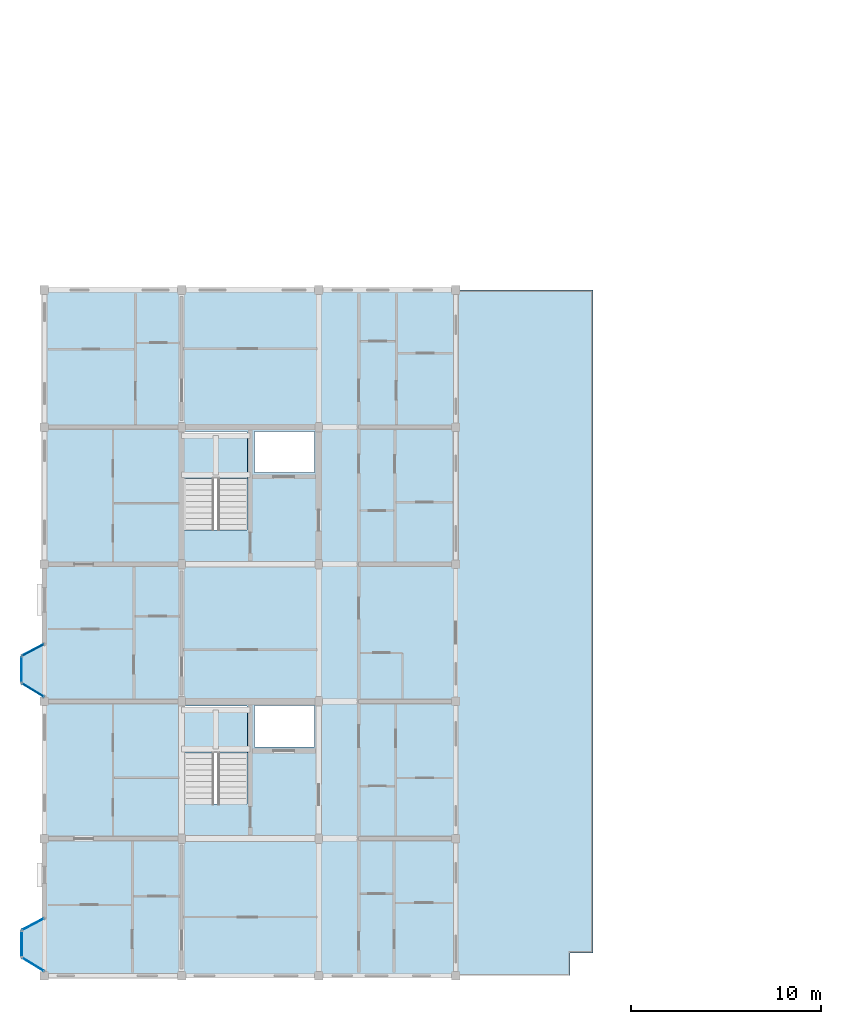
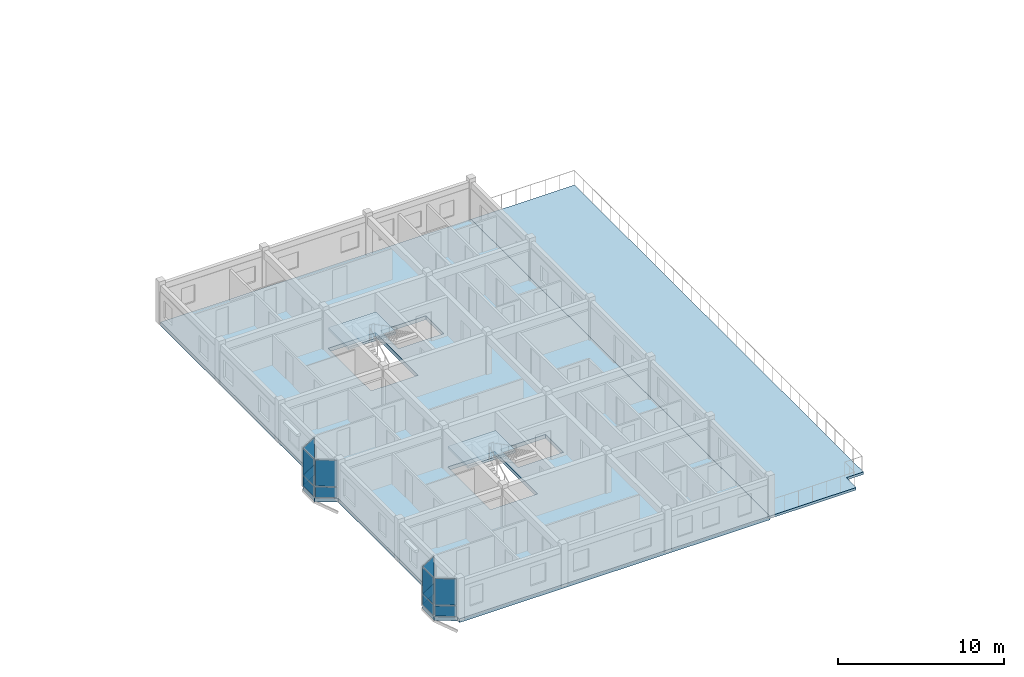
# One storey, part 22 of 40: 12 plates, 4 slabs, 8 elements without a shape of their own.
"""IFC4 building model written with IfcOpenShell, lengths in metres."""

import ifcopenshell
import ifcopenshell.guid

model = None  # the IFC model being written
_history = None  # IfcOwnerHistory: only IFC2X3 demands one
_inside = {}  # id of a spatial element -> (the spatial element, [elements in it])
_under = {}  # id of a project, library or spatial element -> (it, [spatial elements below it])
_declared = {}  # id of a project -> (the project, [libraries it declares])
_typed = {}  # id of a type object -> (the type object, [elements of that type])
_made_of = {}  # id of a material, layer set ... -> (it, [elements and type objects made of it])


def new_model(schema):
    """Start an empty IFC model of exactly this schema.

    Asked for "IFC4X3", IfcOpenShell would pick the latest addendum, in which some entities
    have other attributes; the version numbers below select the first issue.
    IFC2X3 requires an IfcOwnerHistory on every rooted entity: one is made here for all.
    """
    global model, _history
    if schema == "IFC4X3":
        model = ifcopenshell.file(schema_version=(4, 3, 0, 0))
    else:
        model = ifcopenshell.file(schema=schema)
    _inside.clear()
    _under.clear()
    _declared.clear()
    _typed.clear()
    _made_of.clear()
    _history = None
    if model.schema == "IFC2X3":
        org = make("IfcOrganization", Name="unknown")
        user = make(
            "IfcPersonAndOrganization",
            ThePerson=make("IfcPerson", FamilyName="unknown"),
            TheOrganization=org,
        )
        app = make(
            "IfcApplication",
            ApplicationDeveloper=org,
            Version="unknown",
            ApplicationFullName="unknown",
            ApplicationIdentifier="unknown",
        )
        _history = make(
            "IfcOwnerHistory",
            OwningUser=user,
            OwningApplication=app,
            ChangeAction="ADDED",
            CreationDate=0,
        )
    return model


def make(cls, **values):
    """One entity of the class cls with the attributes given. An attribute that is None is left unset."""
    return model.create_entity(
        cls, **{name: value for name, value in values.items() if value is not None}
    )


def rooted(cls, **values):
    """An entity with a GlobalId (a new one), such as an element, a storey or a relation."""
    return make(cls, GlobalId=ifcopenshell.guid.new(), OwnerHistory=_history, **values)


def si_unit(unit_type, name, prefix=None):
    """IfcSIUnit, for example si_unit("LENGTHUNIT", "METRE", prefix="MILLI")."""
    return make("IfcSIUnit", UnitType=unit_type, Prefix=prefix, Name=name)


def assignment(units):
    """IfcUnitAssignment: the units of a project."""
    return None if units is None else make("IfcUnitAssignment", Units=units)


def point(xyz):
    """IfcCartesianPoint."""
    return None if xyz is None else make("IfcCartesianPoint", Coordinates=xyz)


def direction(xyz):
    """IfcDirection."""
    return None if xyz is None else make("IfcDirection", DirectionRatios=xyz)


def frame(location, z_axis=None, x_axis=None):
    """IfcAxis2Placement3D, a coordinate frame: its origin and axes. An axis left out is left unset."""
    return make(
        "IfcAxis2Placement3D",
        Location=point(location),
        Axis=direction(z_axis),
        RefDirection=direction(x_axis),
    )


def frame_2d(location, x_axis=None):
    """IfcAxis2Placement2D, a coordinate frame in the plane: its origin and x axis."""
    return make(
        "IfcAxis2Placement2D", Location=point(location), RefDirection=direction(x_axis)
    )


def origin():
    """The frame at (0, 0, 0) with its axes left unset."""
    return frame((0.0, 0.0, 0.0))


def origin_2d():
    """The frame at (0, 0) in the plane with its x axis left unset."""
    return frame_2d((0.0, 0.0))


def place(relative_to, where):
    """IfcLocalPlacement: puts the frame where relative to a parent placement (None: the world)."""
    return make(
        "IfcLocalPlacement", PlacementRelTo=relative_to, RelativePlacement=where
    )


def context(
    kind, dimensions, precision=None, world=None, true_north=None, identifier=None
):
    """IfcGeometricRepresentationContext, for example the 3D "Model" context."""
    return make(
        "IfcGeometricRepresentationContext",
        ContextIdentifier=identifier,
        ContextType=kind,
        CoordinateSpaceDimension=dimensions,
        Precision=precision,
        WorldCoordinateSystem=world,
        TrueNorth=true_north,
    )


def subcontext(parent, identifier, kind, view, scale=None):
    """IfcGeometricRepresentationSubContext, for example "Body" below "Model"."""
    return make(
        "IfcGeometricRepresentationSubContext",
        ContextIdentifier=identifier,
        ContextType=kind,
        ParentContext=parent,
        TargetScale=scale,
        TargetView=view,
    )


def project(units=None, contexts=None):
    """IfcProject with its units and contexts."""
    return rooted(
        "IfcProject",
        Name="project",
        RepresentationContexts=contexts,
        UnitsInContext=assignment(units),
    )


def spatial(cls, under=None, at=None, **own):
    """A site, building, storey or space (cls), placed at a placement, below another one or the project."""
    s = rooted(cls, ObjectPlacement=at, **own)
    if under is not None:
        _under.setdefault(under.id(), (under, []))[1].append(s)
    return s


def polyline(points):
    """IfcPolyline through the points."""
    return make("IfcPolyline", Points=[point(p) for p in points])


def profile(cls, at=None, kind="AREA", **sizes):
    """A parametric profile (cls). Its sizes go by their IFC names, for example OverallWidth=200.0."""
    return make(cls, ProfileType=kind, Position=at, **sizes)


def rectangle(**sizes):
    """IfcRectangleProfileDef."""
    return profile("IfcRectangleProfileDef", **sizes)


def outline(outer, holes=None, kind="AREA"):
    """IfcArbitraryClosedProfileDef: a profile drawn as a closed curve; with holes, ...WithVoids."""
    if holes is None:
        return make("IfcArbitraryClosedProfileDef", ProfileType=kind, OuterCurve=outer)
    return make(
        "IfcArbitraryProfileDefWithVoids",
        ProfileType=kind,
        OuterCurve=outer,
        InnerCurves=holes,
    )


def extrude(swept, where, along, depth):
    """IfcExtrudedAreaSolid: the profile swept, set in the frame where, extruded along a direction by depth."""
    return make(
        "IfcExtrudedAreaSolid",
        SweptArea=swept,
        Position=where,
        ExtrudedDirection=direction(along),
        Depth=depth,
    )


def shape(context_of_items, identifier, shape_type, items):
    """IfcShapeRepresentation: the items that make up one representation, for example the "Body"."""
    return make(
        "IfcShapeRepresentation",
        ContextOfItems=context_of_items,
        RepresentationIdentifier=identifier,
        RepresentationType=shape_type,
        Items=items,
    )


def material(Name=None, Category=None):
    """IfcMaterial."""
    return make("IfcMaterial", Name=Name, Category=Category)


def layer(
    of_material, thickness, ventilated=None, Name=None, Category=None, Priority=None
):
    """IfcMaterialLayer: one layer of a wall or slab, of a material (None: an air gap)."""
    return make(
        "IfcMaterialLayer",
        Material=of_material,
        LayerThickness=thickness,
        IsVentilated=ventilated,
        Name=Name,
        Category=Category,
        Priority=Priority,
    )


def layer_set(layers, Name=None):
    """IfcMaterialLayerSet."""
    return make("IfcMaterialLayerSet", MaterialLayers=layers, LayerSetName=Name)


def made_of(thing, what):
    """Note that an element or type object is made of a material, layer set ...; save() writes the relation."""
    if what is not None:
        _made_of.setdefault(what.id(), (what, []))[1].append(thing)
    return thing


def type_object(cls, material=None, **own):
    """A type object (cls), such as IfcWallType, which elements share."""
    return made_of(rooted(cls, **own), material)


def element(
    cls,
    number,
    at=None,
    inside=None,
    cuts=None,
    type_object=None,
    material=None,
    context=None,
    identifier="Body",
    shape_type=None,
    held_by="IfcProductDefinitionShape",
    body=None,
    shapes=None,
    **own,
):
    """One element of the class cls, such as IfcWall. Its Tag is "e" and its number.

    at: its placement. inside: the storey or other place that contains it. cuts: it is an
    opening in that element (IfcRelVoidsElement). A single representation is given by context,
    identifier, shape_type and body (its items); several are given by shapes. held_by: the class
    of the entity that holds the representations. save() writes the other relations.
    """
    e = rooted(cls, Tag="e%d" % number, ObjectPlacement=at, **own)
    if body is not None:
        shapes = [shape(context, identifier, shape_type, body)]
    if shapes is not None:
        e.Representation = make(held_by, Representations=shapes)
    if inside is not None:
        _inside.setdefault(inside.id(), (inside, []))[1].append(e)
    if cuts is not None:
        rooted(
            "IfcRelVoidsElement", RelatingBuildingElement=cuts, RelatedOpeningElement=e
        )
    if type_object is not None:
        _typed.setdefault(type_object.id(), (type_object, []))[1].append(e)
    return made_of(e, material)


def aggregate(whole, parts):
    """IfcRelAggregates: a whole, such as a stair, and the parts it consists of."""
    return rooted("IfcRelAggregates", RelatingObject=whole, RelatedObjects=parts)


def save(model, path):
    """Write the relations noted so far, then the file.

    IfcRelAggregates (storeys below a building ...), IfcRelContainedInSpatialStructure (elements
    in a storey), IfcRelDefinesByType, IfcRelAssociatesMaterial and IfcRelDeclares: one each for
    every whole, place, type object, material and project.
    """
    for whole, parts in _under.values():
        aggregate(whole, parts)
    for where, things in _inside.values():
        rooted(
            "IfcRelContainedInSpatialStructure",
            RelatedElements=things,
            RelatingStructure=where,
        )
    for kind, things in _typed.values():
        rooted("IfcRelDefinesByType", RelatedObjects=things, RelatingType=kind)
    for what, things in _made_of.values():
        rooted("IfcRelAssociatesMaterial", RelatedObjects=things, RelatingMaterial=what)
    for by, libraries in _declared.values():
        rooted("IfcRelDeclares", RelatingContext=by, RelatedDefinitions=libraries)
    model.write(path)


model = new_model("IFC4")

# Units and contexts
model_context = context("Model", 3, precision=1e-05, world=origin(), true_north=direction((0.0, 1.0)))
body_context = subcontext(model_context, "Body", "Model", "MODEL_VIEW")
ifc_project = project(units=[si_unit("LENGTHUNIT", "METRE"), si_unit("AREAUNIT", "SQUARE_METRE"), si_unit("VOLUMEUNIT", "CUBIC_METRE"), si_unit("PLANEANGLEUNIT", "RADIAN"), si_unit("MASSUNIT", "GRAM", prefix="KILO"), si_unit("THERMODYNAMICTEMPERATUREUNIT", "KELVIN"), si_unit("POWERUNIT", "WATT")], contexts=[model_context])

# Site, building, storey
site_placement = place(None, origin())
site = spatial("IfcSite", under=ifc_project, at=site_placement, CompositionType="ELEMENT")
building_placement = place(site_placement, origin())
building = spatial("IfcBuilding", under=site, at=building_placement, Name="Tavuni Mirador Residences", CompositionType="ELEMENT")
storey_placement = place(building_placement, frame((0.0, 0.0, 36.0)))
storey = spatial("IfcBuildingStorey", under=building, at=storey_placement, Name="L11", CompositionType="ELEMENT", Elevation=36.0)

# Curtain wall, plate
ifc_material_1 = material(Name="Anodised aluminium", Category="aluminium")
ifc_layer_1 = layer(ifc_material_1, 0.1650390625, Name="Anodised aluminium", Category="aluminium")
ifc_layer_set_1 = layer_set([ifc_layer_1], Name="Anodised aluminium")
curtain_wall_type_1 = type_object("IfcCurtainWallType", Name="CWT-MIR-A", PredefinedType="NOTDEFINED", material=ifc_layer_set_1)
curtain_wall_1_placement = place(storey_placement, origin())
curtain_wall_1 = element("IfcCurtainWall", 1, at=curtain_wall_1_placement, inside=storey, type_object=curtain_wall_type_1, Name="CW-MIR-A-W2-L11-MF", PredefinedType="NOTDEFINED")
ifc_material_2 = material(Name="Laminated solar-control glass", Category="glass")
ifc_layer_2 = layer(ifc_material_2, 0.02392578125, Name="Laminated solar-control glass", Category="glass")
ifc_layer_set_2 = layer_set([ifc_layer_2], Name="Laminated solar-control glass")
plate_type_1 = type_object("IfcPlateType", Name="CWP-GL24", PredefinedType="CURTAIN_PANEL", material=ifc_layer_set_2)
plate_1_placement = place(storey_placement, frame((2.39990234375, 23.27001953125, 0.8798828125), z_axis=(0.0, 0.0, 1.0), x_axis=(0.0, -1.0, 0.0)))
plate_1 = element("IfcPlate", 2, at=plate_1_placement, type_object=plate_type_1, Name="CW-01 panel 1.2", PredefinedType="CURTAIN_PANEL", context=body_context, shape_type="SweptSolid", body=[
    extrude(rectangle(XDim=1.300048828125, YDim=0.02392578125, at=origin_2d()), origin(), (0.0, 0.0, 1.0), 1.929931640625),
])

curtain_wall_2_placement = place(storey_placement, origin())
curtain_wall_2 = element("IfcCurtainWall", 3, at=curtain_wall_2_placement, inside=storey, type_object=curtain_wall_type_1, Name="CW-MIR-A-W1-L11-M2", PredefinedType="NOTDEFINED")
plate_2_placement = place(storey_placement, frame((3.0, 7.79248046875, 0.8798828125), z_axis=(0.0, 0.0, 1.0), x_axis=(0.852754414845, -0.522312079088, 0.0)))
plate_2 = element("IfcPlate", 4, at=plate_2_placement, type_object=plate_type_1, Name="CW-01 panel 1.2", PredefinedType="CURTAIN_PANEL", context=body_context, shape_type="SweptSolid", body=[
    extrude(rectangle(XDim=1.287109375, YDim=0.02392578125, at=origin_2d()), origin(), (0.0, 0.0, 1.0), 1.929931640625),
])

ifc_layer_3 = layer(ifc_material_1, 0.14990234375, Name="Anodised aluminium", Category="aluminium")
ifc_layer_set_3 = layer_set([ifc_layer_3], Name="Anodised aluminium")
curtain_wall_type_2 = type_object("IfcCurtainWallType", Name="CWT-MIR-B", PredefinedType="NOTDEFINED", material=ifc_layer_set_3)
curtain_wall_3_placement = place(storey_placement, origin())
curtain_wall_3 = element("IfcCurtainWall", 5, at=curtain_wall_3_placement, inside=storey, type_object=curtain_wall_type_2, Name="CW-MIR-A-W2-L11-M2", PredefinedType="NOTDEFINED")
ifc_layer_4 = layer(ifc_material_2, 0.028076171875, Name="Laminated solar-control glass", Category="glass")
ifc_layer_set_4 = layer_set([ifc_layer_4], Name="Laminated solar-control glass")
plate_type_2 = type_object("IfcPlateType", Name="CWP-GL28", PredefinedType="CURTAIN_PANEL", material=ifc_layer_set_4)
plate_3_placement = place(storey_placement, frame((3.0, 22.1923828125, 0.88232421875), z_axis=(0.0, 0.0, 1.0), x_axis=(0.852754414845, -0.522312079088, 0.0)))
plate_3 = element("IfcPlate", 6, at=plate_3_placement, type_object=plate_type_2, Name="CW-02 panel 1.2", PredefinedType="CURTAIN_PANEL", context=body_context, shape_type="SweptSolid", body=[
    extrude(rectangle(XDim=1.277099609375, YDim=0.028076171875, at=origin_2d()), origin(), (0.0, 0.0, 1.0), 1.922607421875),
])

ifc_layer_5 = layer(ifc_material_1, 0.175048828125, Name="Anodised aluminium", Category="aluminium")
ifc_layer_set_5 = layer_set([ifc_layer_5], Name="Anodised aluminium")
curtain_wall_type_3 = type_object("IfcCurtainWallType", Name="CWT-MIR-C", PredefinedType="NOTDEFINED", material=ifc_layer_set_5)
curtain_wall_4_placement = place(storey_placement, origin())
curtain_wall_4 = element("IfcCurtainWall", 7, at=curtain_wall_4_placement, inside=storey, type_object=curtain_wall_type_3, Name="CW-MIR-A-W1-L11-M1", PredefinedType="NOTDEFINED")
ifc_layer_6 = layer(ifc_material_2, 0.031982421875, Name="Laminated solar-control glass", Category="glass")
ifc_layer_set_6 = layer_set([ifc_layer_6], Name="Laminated solar-control glass")
plate_type_3 = type_object("IfcPlateType", Name="CWP-GL32", PredefinedType="CURTAIN_PANEL", material=ifc_layer_set_6)
plate_4_placement = place(storey_placement, frame((3.0, 9.89990234375, 0.8798828125), z_axis=(0.0, 0.0, 1.0), x_axis=(-0.882352941175, -0.470588235296, 0.0)))
plate_4 = element("IfcPlate", 8, at=plate_4_placement, type_object=plate_type_3, Name="CW-03 panel 1.2", PredefinedType="CURTAIN_PANEL", context=body_context, shape_type="SweptSolid", body=[
    extrude(rectangle(XDim=1.239990234375, YDim=0.031982421875, at=origin_2d()), origin(), (0.0, 0.0, 1.0), 1.929931640625),
])

ifc_layer_7 = layer(ifc_material_1, 0.159912109375, Name="Anodised aluminium", Category="aluminium")
ifc_layer_set_7 = layer_set([ifc_layer_7], Name="Anodised aluminium")
curtain_wall_type_4 = type_object("IfcCurtainWallType", Name="CWT-MIR-D", PredefinedType="NOTDEFINED", material=ifc_layer_set_7)
curtain_wall_5_placement = place(storey_placement, origin())
curtain_wall_5 = element("IfcCurtainWall", 9, at=curtain_wall_5_placement, inside=storey, type_object=curtain_wall_type_4, Name="CW-MIR-A-W2-L11-M1", PredefinedType="NOTDEFINED")
ifc_layer_8 = layer(ifc_material_2, 0.035888671875, Name="Laminated solar-control glass", Category="glass")
ifc_layer_set_8 = layer_set([ifc_layer_8], Name="Laminated solar-control glass")
plate_type_4 = type_object("IfcPlateType", Name="CWP-GL36", PredefinedType="CURTAIN_PANEL", material=ifc_layer_set_8)
plate_5_placement = place(storey_placement, frame((3.0, 24.300048828125, 0.88232421875), z_axis=(0.0, 0.0, 1.0), x_axis=(-0.882352941175, -0.470588235296, 0.0)))
plate_5 = element("IfcPlate", 10, at=plate_5_placement, type_object=plate_type_4, Name="CW-04 panel 1.2", PredefinedType="CURTAIN_PANEL", context=body_context, shape_type="SweptSolid", body=[
    extrude(rectangle(XDim=1.22998046875, YDim=0.035888671875, at=origin_2d()), origin(), (0.0, 0.0, 1.0), 1.922607421875),
])

curtain_wall_6_placement = place(storey_placement, origin())
curtain_wall_6 = element("IfcCurtainWall", 11, at=curtain_wall_6_placement, inside=storey, type_object=curtain_wall_type_4, Name="CW-MIR-A-W1-L11-MF", PredefinedType="NOTDEFINED")
plate_6_placement = place(storey_placement, frame((2.39990234375, 8.8701171875, 0.88232421875), z_axis=(0.0, 0.0, 1.0), x_axis=(0.0, -1.0, 0.0)))
plate_6 = element("IfcPlate", 12, at=plate_6_placement, type_object=plate_type_4, Name="CW-04 panel 1.2", PredefinedType="CURTAIN_PANEL", context=body_context, shape_type="SweptSolid", body=[
    extrude(rectangle(XDim=1.2900390625, YDim=0.035888671875, at=origin_2d()), origin(), (0.0, 0.0, 1.0), 1.922607421875),
])

# Plate
ifc_material_3 = material(Name="Ceramic trencadis mosaic panel", Category="masonry")
ifc_layer_9 = layer(ifc_material_3, 0.0419921875, Name="Ceramic trencadis mosaic panel", Category="masonry")
ifc_layer_set_9 = layer_set([ifc_layer_9], Name="Ceramic trencadis mosaic panel")
plate_type_5 = type_object("IfcPlateType", Name="CWP-SP42", PredefinedType="CURTAIN_PANEL", material=ifc_layer_set_9)
plate_7_placement = place(storey_placement, frame((2.39990234375, 23.27001953125, 0.06005859375), z_axis=(0.0, 0.0, 1.0), x_axis=(0.0, -1.0, 0.0)))
plate_7 = element("IfcPlate", 13, at=plate_7_placement, type_object=plate_type_5, Name="CW-01 panel 1.1", PredefinedType="CURTAIN_PANEL", context=body_context, shape_type="SweptSolid", body=[
    extrude(rectangle(XDim=1.300048828125, YDim=0.0419921875, at=origin_2d()), origin(), (0.0, 0.0, 1.0), 0.760009765625),
])

aggregate(curtain_wall_1, [plate_7, plate_1])

plate_8_placement = place(storey_placement, frame((3.0, 9.89990234375, 0.06005859375), z_axis=(0.0, 0.0, 1.0), x_axis=(-0.882352941175, -0.470588235296, 0.0)))
plate_8 = element("IfcPlate", 14, at=plate_8_placement, type_object=plate_type_5, Name="CW-03 panel 1.1", PredefinedType="CURTAIN_PANEL", context=body_context, shape_type="SweptSolid", body=[
    extrude(rectangle(XDim=1.239990234375, YDim=0.0419921875, at=origin_2d()), origin(), (0.0, 0.0, 1.0), 0.760009765625),
])

aggregate(curtain_wall_4, [plate_8, plate_4])

plate_9_placement = place(storey_placement, frame((3.0, 7.79248046875, 0.06005859375), z_axis=(0.0, 0.0, 1.0), x_axis=(0.852754414845, -0.522312079088, 0.0)))
plate_9 = element("IfcPlate", 15, at=plate_9_placement, type_object=plate_type_5, Name="CW-01 panel 1.1", PredefinedType="CURTAIN_PANEL", context=body_context, shape_type="SweptSolid", body=[
    extrude(rectangle(XDim=1.287109375, YDim=0.0419921875, at=origin_2d()), origin(), (0.0, 0.0, 1.0), 0.760009765625),
])

aggregate(curtain_wall_2, [plate_9, plate_2])

ifc_layer_10 = layer(ifc_material_3, 0.048095703125, Name="Ceramic trencadis mosaic panel", Category="masonry")
ifc_layer_set_10 = layer_set([ifc_layer_10], Name="Ceramic trencadis mosaic panel")
plate_type_6 = type_object("IfcPlateType", Name="CWP-SP48", PredefinedType="CURTAIN_PANEL", material=ifc_layer_set_10)
plate_10_placement = place(storey_placement, frame((3.0, 24.300048828125, 0.06494140625), z_axis=(0.0, 0.0, 1.0), x_axis=(-0.882352941175, -0.470588235296, 0.0)))
plate_10 = element("IfcPlate", 16, at=plate_10_placement, type_object=plate_type_6, Name="CW-04 panel 1.1", PredefinedType="CURTAIN_PANEL", context=body_context, shape_type="SweptSolid", body=[
    extrude(rectangle(XDim=1.22998046875, YDim=0.048095703125, at=origin_2d()), origin(), (0.0, 0.0, 1.0), 0.75244140625),
])

aggregate(curtain_wall_5, [plate_10, plate_5])

plate_11_placement = place(storey_placement, frame((3.0, 22.1923828125, 0.06494140625), z_axis=(0.0, 0.0, 1.0), x_axis=(0.852754414845, -0.522312079088, 0.0)))
plate_11 = element("IfcPlate", 17, at=plate_11_placement, type_object=plate_type_6, Name="CW-02 panel 1.1", PredefinedType="CURTAIN_PANEL", context=body_context, shape_type="SweptSolid", body=[
    extrude(rectangle(XDim=1.277099609375, YDim=0.048095703125, at=origin_2d()), origin(), (0.0, 0.0, 1.0), 0.75244140625),
])

aggregate(curtain_wall_3, [plate_11, plate_3])

plate_12_placement = place(storey_placement, frame((2.39990234375, 8.8701171875, 0.06494140625), z_axis=(0.0, 0.0, 1.0), x_axis=(0.0, -1.0, 0.0)))
plate_12 = element("IfcPlate", 18, at=plate_12_placement, type_object=plate_type_6, Name="CW-04 panel 1.1", PredefinedType="CURTAIN_PANEL", context=body_context, shape_type="SweptSolid", body=[
    extrude(rectangle(XDim=1.2900390625, YDim=0.048095703125, at=origin_2d()), origin(), (0.0, 0.0, 1.0), 0.75244140625),
])

aggregate(curtain_wall_6, [plate_12, plate_6])

# Slab
ifc_material_4 = material(Name="Prestressed concrete C45/55", Category="concrete")
ifc_layer_11 = layer(ifc_material_4, 0.280029296875, Name="Prestressed concrete C45/55", Category="concrete")
ifc_layer_set_11 = layer_set([ifc_layer_11], Name="Prestressed concrete C45/55")
slab_type_1 = type_object("IfcSlabType", Name="SLT-FLR280", PredefinedType="FLOOR", material=ifc_layer_set_11)
slab_1_placement = place(storey_placement, frame((0.0, 0.0, -0.280029296875)))
element("IfcSlab", 19, at=slab_1_placement, inside=storey, type_object=slab_type_1, Name="SLB-BLK-A-L11", PredefinedType="FLOOR", context=body_context, shape_type="SweptSolid", body=[
    extrude(outline(polyline([(3.60009765625, 7.199951171875), (25.199951171875, 7.199951171875), (25.199951171875, 43.199951171875), (3.60009765625, 43.199951171875), (3.60009765625, 24.6201171875), (2.39990234375, 23.97998046875), (2.39990234375, 22.56005859375), (3.60009765625, 21.824951171875), (3.60009765625, 10.219970703125), (2.39990234375, 9.580078125), (2.39990234375, 8.159912109375), (3.60009765625, 7.425048828125), (3.60009765625, 7.199951171875)]), holes=[polyline([(10.9599609375, 16.2080078125), (14.239990234375, 16.2080078125), (14.239990234375, 21.360107421875), (10.9599609375, 21.360107421875), (10.9599609375, 16.2080078125)]), polyline([(14.6201171875, 19.219970703125), (17.780029296875, 19.219970703125), (17.780029296875, 21.3798828125), (14.6201171875, 21.3798828125), (14.6201171875, 19.219970703125)]), polyline([(10.9599609375, 30.60791015625), (14.239990234375, 30.60791015625), (14.239990234375, 35.760009765625), (10.9599609375, 35.760009765625), (10.9599609375, 30.60791015625)]), polyline([(14.6201171875, 33.6201171875), (17.780029296875, 33.6201171875), (17.780029296875, 35.780029296875), (14.6201171875, 35.780029296875), (14.6201171875, 33.6201171875)])]), origin(), (0.0, 0.0, 1.0), 0.280029296875),
])

# Stair, slab
ifc_material_5 = material(Name="Precast concrete C40/50", Category="concrete")
stair_type = type_object("IfcStairType", Name="STT-TYP", PredefinedType="HALF_TURN_STAIR", material=ifc_material_5)
stair_1_placement = place(storey_placement, origin())
stair_1 = element("IfcStair", 20, at=stair_1_placement, inside=storey, type_object=stair_type, Name="Protected exit stair ST1 (L11)", PredefinedType="HALF_TURN_STAIR")
ifc_layer_12 = layer(ifc_material_5, 0.179931640625, Name="Precast concrete C40/50", Category="concrete")
ifc_layer_set_12 = layer_set([ifc_layer_12], Name="Precast concrete C40/50")
slab_type_2 = type_object("IfcSlabType", Name="SLT-LND180", PredefinedType="LANDING", material=ifc_layer_set_12)
slab_2_placement = place(storey_placement, frame((0.0, 0.0, 1.39501953125)))
slab_2 = element("IfcSlab", 21, at=slab_2_placement, type_object=slab_type_2, Name="ST1 landing 1", PredefinedType="LANDING", context=body_context, shape_type="SweptSolid", body=[
    extrude(outline(polyline([(10.93994140625, 18.89208984375), (14.260009765625, 18.89208984375), (14.260009765625, 21.300048828125), (10.93994140625, 21.300048828125), (10.93994140625, 18.89208984375)])), origin(), (0.0, 0.0, 1.0), 0.179931640625),
])
aggregate(stair_1, [slab_2])

stair_2_placement = place(storey_placement, origin())
stair_2 = element("IfcStair", 22, at=stair_2_placement, inside=storey, type_object=stair_type, Name="Protected exit stair ST2 (L11)", PredefinedType="HALF_TURN_STAIR")
slab_3_placement = place(storey_placement, frame((0.0, 0.0, 1.39501953125)))
slab_3 = element("IfcSlab", 23, at=slab_3_placement, type_object=slab_type_2, Name="ST2 landing 1", PredefinedType="LANDING", context=body_context, shape_type="SweptSolid", body=[
    extrude(outline(polyline([(10.93994140625, 33.2919921875), (14.260009765625, 33.2919921875), (14.260009765625, 35.699951171875), (10.93994140625, 35.699951171875), (10.93994140625, 33.2919921875)])), origin(), (0.0, 0.0, 1.0), 0.179931640625),
])
aggregate(stair_2, [slab_3])

# Slab
ifc_layer_13 = layer(ifc_material_4, 0.18994140625, Name="Prestressed concrete C45/55", Category="concrete")
ifc_layer_set_13 = layer_set([ifc_layer_13], Name="Prestressed concrete C45/55")
slab_type_3 = type_object("IfcSlabType", Name="SLT-TER190", PredefinedType="FLOOR", material=ifc_layer_set_13)
slab_4_placement = place(storey_placement, frame((0.0, 0.0, -0.18994140625)))
element("IfcSlab", 24, at=slab_4_placement, inside=storey, type_object=slab_type_3, Name="Roof terrace TER-A-L11", PredefinedType="FLOOR", context=body_context, shape_type="SweptSolid", body=[
    extrude(outline(polyline([(25.199951171875, 7.199951171875), (31.199951171875, 7.199951171875), (31.199951171875, 8.39990234375), (32.39990234375, 8.39990234375), (32.39990234375, 43.199951171875), (25.199951171875, 43.199951171875), (25.199951171875, 7.199951171875)])), origin(), (0.0, 0.0, 1.0), 0.18994140625),
])

save(model, "model.ifc")
